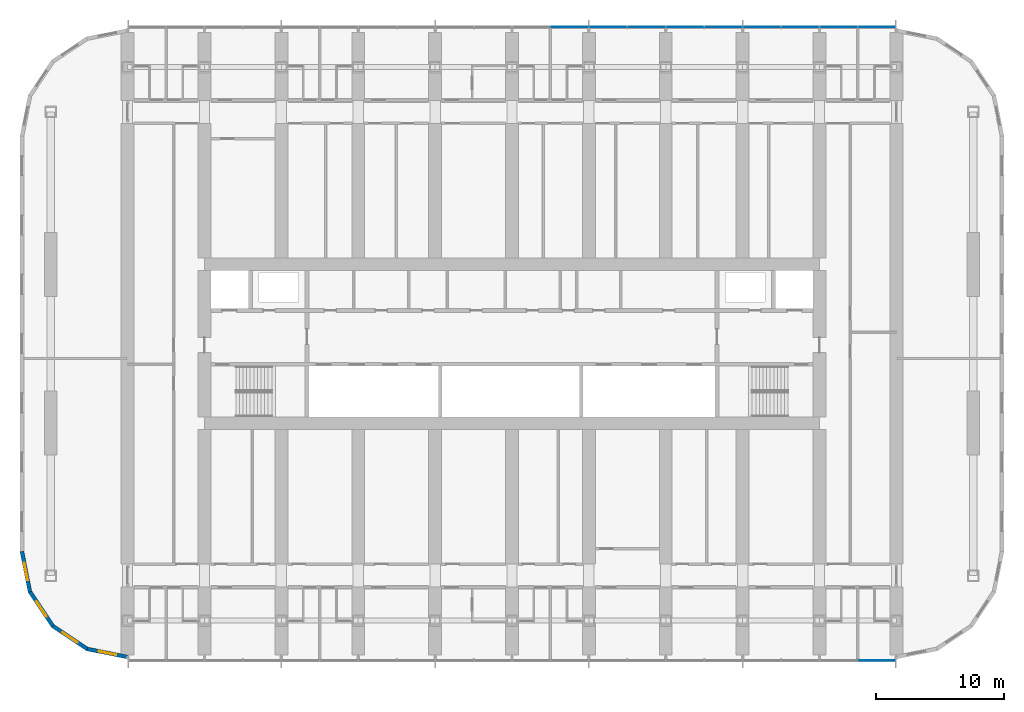
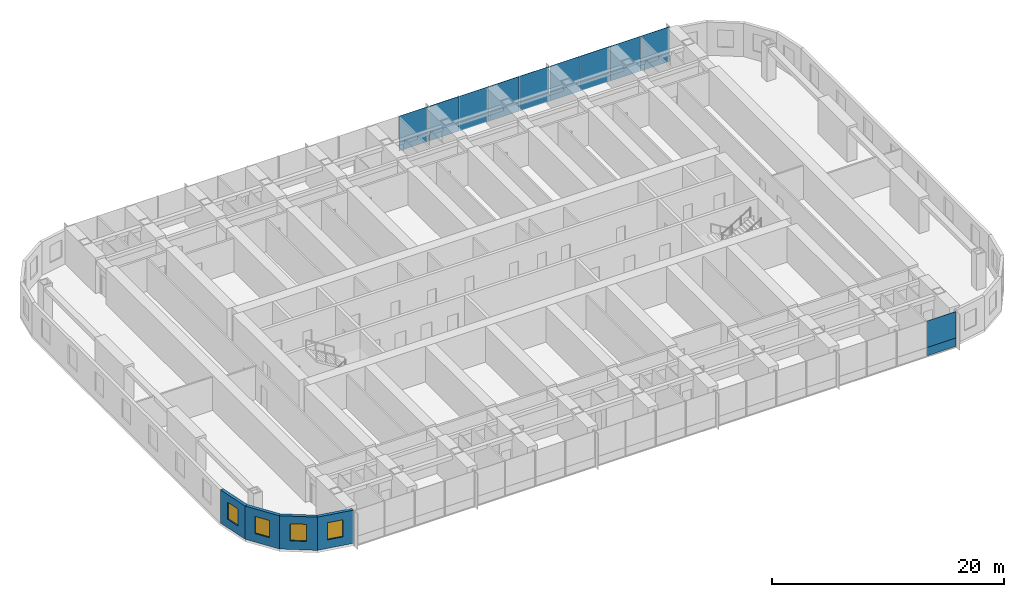
# One storey, part 9 of 23: 20 plates, 4 walls, 4 windows, 4 openings, 2 elements without a shape of their own.
"""IFC4 building model written with IfcOpenShell, lengths in metres."""

from ifc_helpers import new_model, si_unit, direction, frame, frame_2d, origin, origin_2d, place, context, subcontext, project, spatial, polyline, rectangle, outline, extrude, material, layer, layer_set, type_object, element, fill, aggregate, save


model = new_model("IFC4")

# Units and contexts
model_context = context("Model", 3, precision=1e-05, world=origin(), true_north=direction((0.0, 1.0)))
body_context = subcontext(model_context, "Body", "Model", "MODEL_VIEW")
ifc_project = project(units=[si_unit("LENGTHUNIT", "METRE"), si_unit("AREAUNIT", "SQUARE_METRE"), si_unit("VOLUMEUNIT", "CUBIC_METRE"), si_unit("PLANEANGLEUNIT", "RADIAN"), si_unit("MASSUNIT", "GRAM", prefix="KILO")], contexts=[model_context])

# Site, building, storey
site_placement = place(None, origin())
site = spatial("IfcSite", under=ifc_project, at=site_placement, CompositionType="ELEMENT")
building_placement = place(site_placement, origin())
building = spatial("IfcBuilding", under=site, at=building_placement, Name="Orbita Commons", CompositionType="ELEMENT")
storey_placement = place(building_placement, frame((0.0, 0.0, 61.449951171875)))
storey = spatial("IfcBuildingStorey", under=building, at=storey_placement, Name="L15", CompositionType="ELEMENT", Elevation=61.449951171875)

# Curtain wall, plate
ifc_material_1 = material(Name="Anodised aluminium frame, pale silver", Category="aluminium")
curtain_wall_type = type_object("IfcCurtainWallType", Name="Unitised curtain wall CW-T, vision and spandrel", PredefinedType="NOTDEFINED", material=ifc_material_1)
curtain_wall_1_placement = place(storey_placement, origin())
curtain_wall_1 = element("IfcCurtainWall", 1, at=curtain_wall_1_placement, inside=storey, type_object=curtain_wall_type, Name="Curtain wall south L15", PredefinedType="NOTDEFINED")
ifc_material_2 = material(Name="Anodised aluminium sheet on mineral wool", Category="aluminium")
ifc_layer_1 = layer(ifc_material_2, 0.050048828125)
ifc_layer_set_1 = layer_set([ifc_layer_1], Name="Anodised aluminium sheet on mineral wool")
plate_type_1 = type_object("IfcPlateType", Name="Spandrel panel, pale aluminium over insulation 50", PredefinedType="CURTAIN_PANEL", material=ifc_layer_set_1)
plate_1_placement = place(storey_placement, frame((70.47998046875, 7.2900390625, -0.14990234375), z_axis=(0.0, 0.0, 1.0), x_axis=(1.0, 0.0, 0.0)))
plate_1 = element("IfcPlate", 2, at=plate_1_placement, type_object=plate_type_1, Name="Panel 20.1 CW-L15-S", PredefinedType="CURTAIN_PANEL", context=body_context, shape_type="SweptSolid", body=[
    extrude(rectangle(XDim=2.8798828125, YDim=0.050048828125, at=origin_2d()), origin(), (0.0, 0.0, 1.0), 0.875),
])

# Curtain wall, plates
curtain_wall_2_placement = place(storey_placement, origin())
curtain_wall_2 = element("IfcCurtainWall", 3, at=curtain_wall_2_placement, inside=storey, type_object=curtain_wall_type, Name="Curtain wall north L15", PredefinedType="NOTDEFINED")
plate_2_placement = place(storey_placement, frame((70.47998046875, 56.7099609375, -0.14990234375), z_axis=(0.0, 0.0, 1.0), x_axis=(-1.0, 0.0, 0.0)))
plate_2 = element("IfcPlate", 4, at=plate_2_placement, type_object=plate_type_1, Name="Panel 1.1 CW-L15-N", PredefinedType="CURTAIN_PANEL", context=body_context, shape_type="SweptSolid", body=[
    extrude(rectangle(XDim=2.8798828125, YDim=0.050048828125, at=origin_2d()), origin(), (0.0, 0.0, 1.0), 0.875),
])
plate_3_placement = place(storey_placement, frame((67.5, 56.7099609375, -0.14990234375), z_axis=(0.0, 0.0, 1.0), x_axis=(-1.0, 0.0, 0.0)))
plate_3 = element("IfcPlate", 5, at=plate_3_placement, type_object=plate_type_1, Name="Panel 2.1 CW-L15-N", PredefinedType="CURTAIN_PANEL", context=body_context, shape_type="SweptSolid", body=[
    extrude(rectangle(XDim=2.919921875, YDim=0.050048828125, at=origin_2d()), origin(), (0.0, 0.0, 1.0), 0.875),
])
plate_4_placement = place(storey_placement, frame((64.5, 56.7099609375, -0.14990234375), z_axis=(0.0, 0.0, 1.0), x_axis=(-1.0, 0.0, 0.0)))
plate_4 = element("IfcPlate", 6, at=plate_4_placement, type_object=plate_type_1, Name="Panel 3.1 CW-L15-N", PredefinedType="CURTAIN_PANEL", context=body_context, shape_type="SweptSolid", body=[
    extrude(rectangle(XDim=2.919921875, YDim=0.050048828125, at=origin_2d()), origin(), (0.0, 0.0, 1.0), 0.875),
])
plate_5_placement = place(storey_placement, frame((61.5, 56.7099609375, -0.14990234375), z_axis=(0.0, 0.0, 1.0), x_axis=(-1.0, 0.0, 0.0)))
plate_5 = element("IfcPlate", 7, at=plate_5_placement, type_object=plate_type_1, Name="Panel 4.1 CW-L15-N", PredefinedType="CURTAIN_PANEL", context=body_context, shape_type="SweptSolid", body=[
    extrude(rectangle(XDim=2.919921875, YDim=0.050048828125, at=origin_2d()), origin(), (0.0, 0.0, 1.0), 0.875),
])
plate_6_placement = place(storey_placement, frame((58.5, 56.7099609375, -0.14990234375), z_axis=(0.0, 0.0, 1.0), x_axis=(-1.0, 0.0, 0.0)))
plate_6 = element("IfcPlate", 8, at=plate_6_placement, type_object=plate_type_1, Name="Panel 5.1 CW-L15-N", PredefinedType="CURTAIN_PANEL", context=body_context, shape_type="SweptSolid", body=[
    extrude(rectangle(XDim=2.919921875, YDim=0.050048828125, at=origin_2d()), origin(), (0.0, 0.0, 1.0), 0.875),
])
plate_7_placement = place(storey_placement, frame((55.5, 56.7099609375, -0.14990234375), z_axis=(0.0, 0.0, 1.0), x_axis=(-1.0, 0.0, 0.0)))
plate_7 = element("IfcPlate", 9, at=plate_7_placement, type_object=plate_type_1, Name="Panel 6.1 CW-L15-N", PredefinedType="CURTAIN_PANEL", context=body_context, shape_type="SweptSolid", body=[
    extrude(rectangle(XDim=2.919921875, YDim=0.050048828125, at=origin_2d()), origin(), (0.0, 0.0, 1.0), 0.875),
])
plate_8_placement = place(storey_placement, frame((52.5, 56.7099609375, -0.14990234375), z_axis=(0.0, 0.0, 1.0), x_axis=(-1.0, 0.0, 0.0)))
plate_8 = element("IfcPlate", 10, at=plate_8_placement, type_object=plate_type_1, Name="Panel 7.1 CW-L15-N", PredefinedType="CURTAIN_PANEL", context=body_context, shape_type="SweptSolid", body=[
    extrude(rectangle(XDim=2.919921875, YDim=0.050048828125, at=origin_2d()), origin(), (0.0, 0.0, 1.0), 0.875),
])
plate_9_placement = place(storey_placement, frame((49.5, 56.7099609375, -0.14990234375), z_axis=(0.0, 0.0, 1.0), x_axis=(-1.0, 0.0, 0.0)))
plate_9 = element("IfcPlate", 11, at=plate_9_placement, type_object=plate_type_1, Name="Panel 8.1 CW-L15-N", PredefinedType="CURTAIN_PANEL", context=body_context, shape_type="SweptSolid", body=[
    extrude(rectangle(XDim=2.919921875, YDim=0.050048828125, at=origin_2d()), origin(), (0.0, 0.0, 1.0), 0.875),
])
plate_10_placement = place(storey_placement, frame((46.5, 56.7099609375, -0.14990234375), z_axis=(0.0, 0.0, 1.0), x_axis=(-1.0, 0.0, 0.0)))
plate_10 = element("IfcPlate", 12, at=plate_10_placement, type_object=plate_type_1, Name="Panel 9.1 CW-L15-N", PredefinedType="CURTAIN_PANEL", context=body_context, shape_type="SweptSolid", body=[
    extrude(rectangle(XDim=2.919921875, YDim=0.050048828125, at=origin_2d()), origin(), (0.0, 0.0, 1.0), 0.875),
])

# Plate
ifc_material_3 = material(Name="Clear double glazing", Category="glass")
ifc_layer_2 = layer(ifc_material_3, 0.031982421875)
ifc_layer_set_2 = layer_set([ifc_layer_2], Name="Clear double glazing")
plate_type_2 = type_object("IfcPlateType", Name="Vision panel, clear double glazing 32", PredefinedType="CURTAIN_PANEL", material=ifc_layer_set_2)
plate_11_placement = place(storey_placement, frame((70.47998046875, 7.2900390625, 0.72509765625), z_axis=(0.0, 0.0, 1.0), x_axis=(1.0, 0.0, 0.0)))
plate_11 = element("IfcPlate", 13, at=plate_11_placement, type_object=plate_type_2, Name="Panel 20.2 CW-L15-S", PredefinedType="CURTAIN_PANEL", context=body_context, shape_type="SweptSolid", body=[
    extrude(rectangle(XDim=2.8798828125, YDim=0.031982421875, at=origin_2d()), origin(), (0.0, 0.0, 1.0), 2.77490234375),
])

aggregate(curtain_wall_1, [plate_1, plate_11])

plate_12_placement = place(storey_placement, frame((70.47998046875, 56.7099609375, 0.72509765625), z_axis=(0.0, 0.0, 1.0), x_axis=(-1.0, 0.0, 0.0)))
plate_12 = element("IfcPlate", 14, at=plate_12_placement, type_object=plate_type_2, Name="Panel 1.2 CW-L15-N", PredefinedType="CURTAIN_PANEL", context=body_context, shape_type="SweptSolid", body=[
    extrude(rectangle(XDim=2.8798828125, YDim=0.031982421875, at=origin_2d()), origin(), (0.0, 0.0, 1.0), 2.77490234375),
])

plate_13_placement = place(storey_placement, frame((67.5, 56.7099609375, 0.72509765625), z_axis=(0.0, 0.0, 1.0), x_axis=(-1.0, 0.0, 0.0)))
plate_13 = element("IfcPlate", 15, at=plate_13_placement, type_object=plate_type_2, Name="Panel 2.2 CW-L15-N", PredefinedType="CURTAIN_PANEL", context=body_context, shape_type="SweptSolid", body=[
    extrude(rectangle(XDim=2.919921875, YDim=0.031982421875, at=origin_2d()), origin(), (0.0, 0.0, 1.0), 2.77490234375),
])

plate_14_placement = place(storey_placement, frame((64.5, 56.7099609375, 0.72509765625), z_axis=(0.0, 0.0, 1.0), x_axis=(-1.0, 0.0, 0.0)))
plate_14 = element("IfcPlate", 16, at=plate_14_placement, type_object=plate_type_2, Name="Panel 3.2 CW-L15-N", PredefinedType="CURTAIN_PANEL", context=body_context, shape_type="SweptSolid", body=[
    extrude(rectangle(XDim=2.919921875, YDim=0.031982421875, at=origin_2d()), origin(), (0.0, 0.0, 1.0), 2.77490234375),
])

plate_15_placement = place(storey_placement, frame((61.5, 56.7099609375, 0.72509765625), z_axis=(0.0, 0.0, 1.0), x_axis=(-1.0, 0.0, 0.0)))
plate_15 = element("IfcPlate", 17, at=plate_15_placement, type_object=plate_type_2, Name="Panel 4.2 CW-L15-N", PredefinedType="CURTAIN_PANEL", context=body_context, shape_type="SweptSolid", body=[
    extrude(rectangle(XDim=2.919921875, YDim=0.031982421875, at=origin_2d()), origin(), (0.0, 0.0, 1.0), 2.77490234375),
])

plate_16_placement = place(storey_placement, frame((58.5, 56.7099609375, 0.72509765625), z_axis=(0.0, 0.0, 1.0), x_axis=(-1.0, 0.0, 0.0)))
plate_16 = element("IfcPlate", 18, at=plate_16_placement, type_object=plate_type_2, Name="Panel 5.2 CW-L15-N", PredefinedType="CURTAIN_PANEL", context=body_context, shape_type="SweptSolid", body=[
    extrude(rectangle(XDim=2.919921875, YDim=0.031982421875, at=origin_2d()), origin(), (0.0, 0.0, 1.0), 2.77490234375),
])

plate_17_placement = place(storey_placement, frame((55.5, 56.7099609375, 0.72509765625), z_axis=(0.0, 0.0, 1.0), x_axis=(-1.0, 0.0, 0.0)))
plate_17 = element("IfcPlate", 19, at=plate_17_placement, type_object=plate_type_2, Name="Panel 6.2 CW-L15-N", PredefinedType="CURTAIN_PANEL", context=body_context, shape_type="SweptSolid", body=[
    extrude(rectangle(XDim=2.919921875, YDim=0.031982421875, at=origin_2d()), origin(), (0.0, 0.0, 1.0), 2.77490234375),
])

plate_18_placement = place(storey_placement, frame((52.5, 56.7099609375, 0.72509765625), z_axis=(0.0, 0.0, 1.0), x_axis=(-1.0, 0.0, 0.0)))
plate_18 = element("IfcPlate", 20, at=plate_18_placement, type_object=plate_type_2, Name="Panel 7.2 CW-L15-N", PredefinedType="CURTAIN_PANEL", context=body_context, shape_type="SweptSolid", body=[
    extrude(rectangle(XDim=2.919921875, YDim=0.031982421875, at=origin_2d()), origin(), (0.0, 0.0, 1.0), 2.77490234375),
])

plate_19_placement = place(storey_placement, frame((49.5, 56.7099609375, 0.72509765625), z_axis=(0.0, 0.0, 1.0), x_axis=(-1.0, 0.0, 0.0)))
plate_19 = element("IfcPlate", 21, at=plate_19_placement, type_object=plate_type_2, Name="Panel 8.2 CW-L15-N", PredefinedType="CURTAIN_PANEL", context=body_context, shape_type="SweptSolid", body=[
    extrude(rectangle(XDim=2.919921875, YDim=0.031982421875, at=origin_2d()), origin(), (0.0, 0.0, 1.0), 2.77490234375),
])

plate_20_placement = place(storey_placement, frame((46.5, 56.7099609375, 0.72509765625), z_axis=(0.0, 0.0, 1.0), x_axis=(-1.0, 0.0, 0.0)))
plate_20 = element("IfcPlate", 22, at=plate_20_placement, type_object=plate_type_2, Name="Panel 9.2 CW-L15-N", PredefinedType="CURTAIN_PANEL", context=body_context, shape_type="SweptSolid", body=[
    extrude(rectangle(XDim=2.919921875, YDim=0.031982421875, at=origin_2d()), origin(), (0.0, 0.0, 1.0), 2.77490234375),
])

aggregate(curtain_wall_2, [plate_2, plate_12, plate_3, plate_13, plate_4, plate_14, plate_5, plate_15, plate_6, plate_16, plate_7, plate_17, plate_8, plate_18, plate_9, plate_19, plate_10, plate_20])

# Wall, opening, window
ifc_material_4 = material(Name="Precast concrete C40/50, white board-marked finish", Category="concrete")
ifc_layer_3 = layer(ifc_material_4, 0.300048828125)
ifc_layer_set_3 = layer_set([ifc_layer_3], Name="Precast concrete C40/50, white board-marked finish")
wall_type = type_object("IfcWallType", Name="Precast concrete end shield 300", PredefinedType="SOLIDWALL", material=ifc_layer_set_3)
wall_1_placement = place(storey_placement, frame((3.75, 15.800048828125, 0.0), z_axis=(0.0, 0.0, 1.0), x_axis=(0.195065901187, -0.980790137692, 0.0)))
wall_1 = element("IfcWall", 23, at=wall_1_placement, inside=storey, type_object=wall_type, Name="End shield SW chord 1 L15", PredefinedType="SOLIDWALL", context=body_context, shape_type="SweptSolid", body=[
    extrude(outline(polyline([(-0.014892578125, -0.14990234375), (3.248779296875, -0.14990234375), (3.189208984375, 0.14990234375), (0.014892578125, 0.14990234375), (-0.014892578125, -0.14990234375)])), origin(), (0.0, 0.0, 1.0), 3.5),
])
opening_1_placement = place(wall_1_placement, frame((0.909423828125, 0.0, 0.89990234375)))
opening_1 = element("IfcOpeningElement", 24, at=opening_1_placement, cuts=wall_1, Name="Opening W02", PredefinedType="OPENING", context=body_context, shape_type="SweptSolid", body=[
    extrude(rectangle(XDim=1.39990234375, YDim=1.800048828125, at=frame_2d((0.699951171875, 0.89990234375))), frame((0.0, 0.159912109375, 0.0), z_axis=(0.0, -1.0, 0.0), x_axis=(1.0, 0.0, 0.0)), (0.0, 0.0, 1.0), 0.320068359375),
])
ifc_material_5 = material(Name="Aluminium frame, clear double glazing", Category="aluminium")
window_type = type_object("IfcWindowType", Name="Deep-set window 1400x1800", PartitioningType="SINGLE_PANEL", PredefinedType="WINDOW", material=ifc_material_5)
window_1_placement = place(opening_1_placement, origin())
window_1 = element("IfcWindow", 25, at=window_1_placement, inside=storey, type_object=window_type, Name="Window L15-SW0", OverallHeight=1.800048828125, OverallWidth=1.39990234375, PartitioningType="SINGLE_PANEL", PredefinedType="WINDOW", context=body_context, shape_type="SweptSolid", body=[
    extrude(rectangle(XDim=1.39990234375, YDim=1.800048828125, at=frame_2d((0.699951171875, 0.89990234375))), frame((0.0, 0.030029296875, 0.0), z_axis=(0.0, -1.0, 0.0), x_axis=(1.0, 0.0, 0.0)), (0.0, 0.0, 1.0), 0.06005859375),
])
fill(opening_1, window_1)

wall_2_placement = place(storey_placement, frame((4.3779296875, 12.642822265625, 0.0), z_axis=(0.0, 0.0, 1.0), x_axis=(0.555609954424, -0.831443069936, 0.0)))
wall_2 = element("IfcWall", 26, at=wall_2_placement, inside=storey, type_object=wall_type, Name="End shield SW chord 2 L15", PredefinedType="SOLIDWALL", context=body_context, shape_type="SweptSolid", body=[
    extrude(outline(polyline([(-0.02978515625, -0.14990234375), (3.2490234375, -0.14990234375), (3.189453125, 0.14990234375), (0.02978515625, 0.14990234375), (-0.02978515625, -0.14990234375)])), origin(), (0.0, 0.0, 1.0), 3.5),
])
opening_2_placement = place(wall_2_placement, frame((0.909423828125, 0.0, 0.89990234375)))
opening_2 = element("IfcOpeningElement", 27, at=opening_2_placement, cuts=wall_2, Name="Opening W02", PredefinedType="OPENING", context=body_context, shape_type="SweptSolid", body=[
    extrude(rectangle(XDim=1.39990234375, YDim=1.800048828125, at=frame_2d((0.699951171875, 0.89990234375))), frame((0.0, 0.159912109375, 0.0), z_axis=(0.0, -1.0, 0.0), x_axis=(1.0, 0.0, 0.0)), (0.0, 0.0, 1.0), 0.320068359375),
])
window_2_placement = place(opening_2_placement, origin())
window_2 = element("IfcWindow", 28, at=window_2_placement, inside=storey, type_object=window_type, Name="Window L15-SW1", OverallHeight=1.800048828125, OverallWidth=1.39990234375, PartitioningType="SINGLE_PANEL", PredefinedType="WINDOW", context=body_context, shape_type="SweptSolid", body=[
    extrude(rectangle(XDim=1.39990234375, YDim=1.800048828125, at=frame_2d((0.699951171875, 0.89990234375))), frame((0.0, 0.030029296875, 0.0), z_axis=(0.0, -1.0, 0.0), x_axis=(1.0, 0.0, 0.0)), (0.0, 0.0, 1.0), 0.06005859375),
])
fill(opening_2, window_2)

wall_3_placement = place(storey_placement, frame((6.16650390625, 9.96630859375, 0.0), z_axis=(0.0, 0.0, 1.0), x_axis=(0.831478105043, -0.555557522525, 0.0)))
wall_3 = element("IfcWall", 29, at=wall_3_placement, inside=storey, type_object=wall_type, Name="End shield SW chord 3 L15", PredefinedType="SOLIDWALL", context=body_context, shape_type="SweptSolid", body=[
    extrude(outline(polyline([(-0.02978515625, -0.14990234375), (3.248779296875, -0.14990234375), (3.189208984375, 0.14990234375), (0.02978515625, 0.14990234375), (-0.02978515625, -0.14990234375)])), origin(), (0.0, 0.0, 1.0), 3.5),
])
opening_3_placement = place(wall_3_placement, frame((0.909423828125, 0.0, 0.89990234375)))
opening_3 = element("IfcOpeningElement", 30, at=opening_3_placement, cuts=wall_3, Name="Opening W02", PredefinedType="OPENING", context=body_context, shape_type="SweptSolid", body=[
    extrude(rectangle(XDim=1.39990234375, YDim=1.800048828125, at=frame_2d((0.699951171875, 0.89990234375))), frame((0.0, 0.159912109375, 0.0), z_axis=(0.0, -1.0, 0.0), x_axis=(1.0, 0.0, 0.0)), (0.0, 0.0, 1.0), 0.320068359375),
])
window_3_placement = place(opening_3_placement, origin())
window_3 = element("IfcWindow", 31, at=window_3_placement, inside=storey, type_object=window_type, Name="Window L15-SW2", OverallHeight=1.800048828125, OverallWidth=1.39990234375, PartitioningType="SINGLE_PANEL", PredefinedType="WINDOW", context=body_context, shape_type="SweptSolid", body=[
    extrude(rectangle(XDim=1.39990234375, YDim=1.800048828125, at=frame_2d((0.699951171875, 0.89990234375))), frame((0.0, 0.030029296875, 0.0), z_axis=(0.0, -1.0, 0.0), x_axis=(1.0, 0.0, 0.0)), (0.0, 0.0, 1.0), 0.06005859375),
])
fill(opening_3, window_3)

wall_4_placement = place(storey_placement, frame((8.843017578125, 8.177978515625, 0.0), z_axis=(0.0, 0.0, 1.0), x_axis=(0.980787251524, -0.195080412259, 0.0)))
wall_4 = element("IfcWall", 32, at=wall_4_placement, inside=storey, type_object=wall_type, Name="End shield SW chord 4 L15", PredefinedType="SOLIDWALL", context=body_context, shape_type="SweptSolid", body=[
    extrude(outline(polyline([(-0.02978515625, -0.14990234375), (3.24853515625, -0.14990234375), (3.18896484375, 0.14990234375), (0.02978515625, 0.14990234375), (-0.02978515625, -0.14990234375)])), origin(), (0.0, 0.0, 1.0), 3.5),
])
opening_4_placement = place(wall_4_placement, frame((0.909423828125, 0.0, 0.89990234375)))
opening_4 = element("IfcOpeningElement", 33, at=opening_4_placement, cuts=wall_4, Name="Opening W02", PredefinedType="OPENING", context=body_context, shape_type="SweptSolid", body=[
    extrude(rectangle(XDim=1.39990234375, YDim=1.800048828125, at=frame_2d((0.699951171875, 0.89990234375))), frame((0.0, 0.159912109375, 0.0), z_axis=(0.0, -1.0, 0.0), x_axis=(1.0, 0.0, 0.0)), (0.0, 0.0, 1.0), 0.320068359375),
])
window_4_placement = place(opening_4_placement, origin())
window_4 = element("IfcWindow", 34, at=window_4_placement, inside=storey, type_object=window_type, Name="Window L15-SW3", OverallHeight=1.800048828125, OverallWidth=1.39990234375, PartitioningType="SINGLE_PANEL", PredefinedType="WINDOW", context=body_context, shape_type="SweptSolid", body=[
    extrude(rectangle(XDim=1.39990234375, YDim=1.800048828125, at=frame_2d((0.699951171875, 0.89990234375))), frame((0.0, 0.030029296875, 0.0), z_axis=(0.0, -1.0, 0.0), x_axis=(1.0, 0.0, 0.0)), (0.0, 0.0, 1.0), 0.06005859375),
])
fill(opening_4, window_4)

save(model, "model.ifc")
